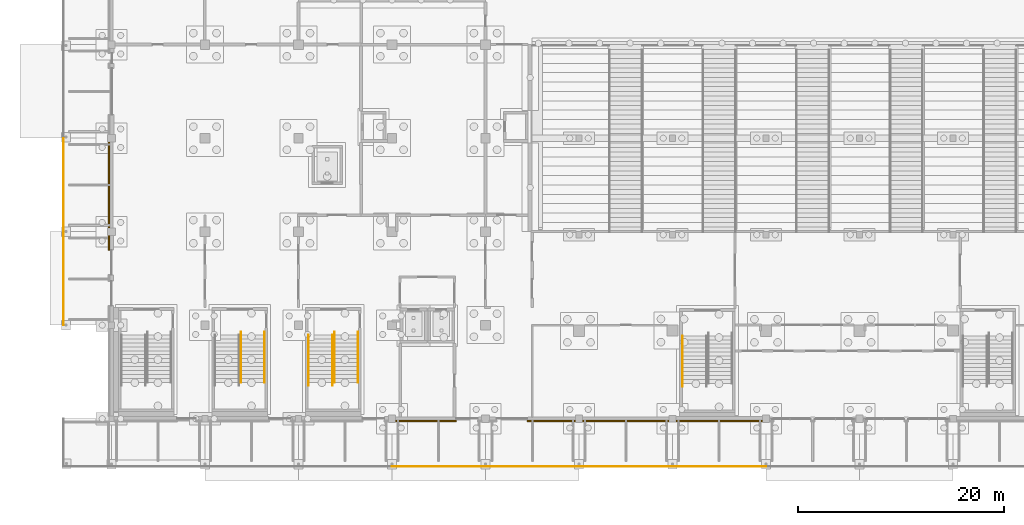
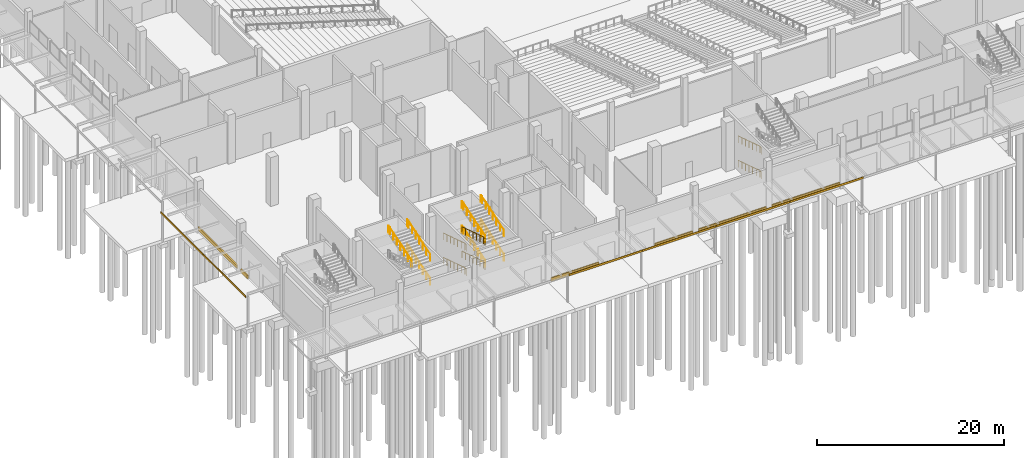
# One storey, part 102 of 129: 13 railings, 12 coverings.
"""IFC4 building model written with IfcOpenShell, lengths in metres."""

from ifc_helpers import new_model, si_unit, direction, frame, origin, origin_2d, place, context, subcontext, project, spatial, rectangle, circle, extrude, material, layer, layer_set, type_object, element, save


model = new_model("IFC4")

# Units and contexts
model_context = context("Model", 3, precision=1e-05, world=origin(), true_north=direction((0.0, 1.0)))
body_context = subcontext(model_context, "Body", "Model", "MODEL_VIEW")
ifc_project = project(units=[si_unit("LENGTHUNIT", "METRE"), si_unit("AREAUNIT", "SQUARE_METRE"), si_unit("VOLUMEUNIT", "CUBIC_METRE"), si_unit("PLANEANGLEUNIT", "RADIAN"), si_unit("MASSUNIT", "GRAM", prefix="KILO")], contexts=[model_context])

# Site, building, storey
site_placement = place(None, origin())
site = spatial("IfcSite", under=ifc_project, at=site_placement, CompositionType="ELEMENT")
building_placement = place(site_placement, origin())
building = spatial("IfcBuilding", under=site, at=building_placement, Name="Shirokan Park Arena", CompositionType="ELEMENT")
storey_placement = place(building_placement, origin())
storey = spatial("IfcBuildingStorey", under=building, at=storey_placement, Name="L00", CompositionType="ELEMENT", Elevation=0.0)

# Coverings
ifc_material_1 = material(Name="Timber fascia (cedar)", Category="wood")
ifc_layer_1 = layer(ifc_material_1, 0.050048828125)
ifc_layer_set_1 = layer_set([ifc_layer_1], Name="Timber fascia (cedar) 50 mm")
covering_type_1 = type_object("IfcCoveringType", Name="Canopy fascia 50x250", PredefinedType="CLADDING", material=ifc_layer_set_1)
for number, where, z_axis, x_axis, name in (
    (1, (31.85009765625, -4.675048828125, 3.5), (0.0, 0.0, 1.0), (1.0, 0.0, 0.0), "Canopy fascia south bay 4"),
    (2, (40.949951171875, -4.675048828125, 3.5), (0.0, 0.0, 1.0), (1.0, 0.0, 0.0), "Canopy fascia south bay 5"),
    (3, (50.050048828125, -4.675048828125, 3.5), (0.0, 0.0, 1.0), (1.0, 0.0, 0.0), "Canopy fascia south bay 6"),
    (4, (59.14990234375, -4.675048828125, 3.5), (0.0, 0.0, 1.0), (1.0, 0.0, 0.0), "Canopy fascia south bay 7"),
    (5, (-4.675048828125, 22.75, 3.5), (0.0, 0.0, 1.0), (0.0, -1.0, 0.0), "Canopy fascia west bay 10"),
    (6, (-4.675048828125, 13.64990234375, 3.5), (0.0, 0.0, 1.0), (0.0, -1.0, 0.0), "Canopy fascia west bay 11"),
):
    element("IfcCovering", number, at=place(storey_placement, frame(where, z_axis=z_axis, x_axis=x_axis)), inside=storey, type_object=covering_type_1, Name=name, PredefinedType="CLADDING", context=body_context, shape_type="SweptSolid", body=[
        extrude(rectangle(XDim=9.10009765625, YDim=0.050048828125, at=origin_2d()), origin(), (0.0, 0.0, 1.0), 0.25),
    ])

# Railings
ifc_material_2 = material(Name="Stainless steel", Category="steel")
railing_type = type_object("IfcRailingType", Name="Stair handrail 900", PredefinedType="HANDRAIL", material=ifc_material_2)
railing_1_placement = place(storey_placement, frame((14.909912109375, 3.530029296875, 1.715087890625)))
element("IfcRailing", 7, at=railing_1_placement, inside=storey, type_object=railing_type, Name="Handrail Exit Stair 1.B L00 to L01", PredefinedType="HANDRAIL", context=body_context, shape_type="SweptSolid", body=[
    extrude(circle(Radius=0.02392578125, at=origin_2d()), frame((0.0, 0.0, 0.8759765625), z_axis=(0.0, 0.952929747917, 0.303191186441), x_axis=(-1.0, 0.0, 0.0)), (0.0, 0.0, 1.0), 1.6162109375),
    extrude(circle(Radius=0.02392578125, at=origin_2d()), frame((0.0, 1.5400390625, 1.36572265625), z_axis=(0.0, 0.952929747917, 0.303191186441), x_axis=(-1.0, 0.0, 0.0)), (0.0, 0.0, 1.0), 1.6162109375),
    extrude(circle(Radius=0.02392578125, at=origin_2d()), frame((0.0, 3.080078125, 1.85595703125), z_axis=(0.0, 0.952915858112, 0.303234838629), x_axis=(-1.0, 0.0, 0.0)), (0.0, 0.0, 1.0), 1.615966796875),
    extrude(circle(Radius=0.02392578125, at=origin_2d()), frame((0.0, 4.619873046875, 2.345703125), z_axis=(0.0, 1.0, 0.0), x_axis=(-1.0, 0.0, 0.0)), (0.0, 0.0, 1.0), 0.300048828125),
    extrude(circle(Radius=0.02099609375, at=origin_2d()), origin(), (0.0, 0.0, 1.0), 0.851806640625),
    extrude(circle(Radius=0.02099609375, at=origin_2d()), frame((0.0, 0.77001953125, 0.2451171875)), (0.0, 0.0, 1.0), 0.851806640625),
    extrude(circle(Radius=0.02099609375, at=origin_2d()), frame((0.0, 1.5400390625, 0.489990234375)), (0.0, 0.0, 1.0), 0.851806640625),
    extrude(circle(Radius=0.02099609375, at=origin_2d()), frame((0.0, 2.31005859375, 0.73486328125)), (0.0, 0.0, 1.0), 0.851806640625),
    extrude(circle(Radius=0.02099609375, at=origin_2d()), frame((0.0, 3.080078125, 0.97998046875)), (0.0, 0.0, 1.0), 0.851806640625),
    extrude(circle(Radius=0.02099609375, at=origin_2d()), frame((0.0, 3.85009765625, 1.22509765625)), (0.0, 0.0, 1.0), 0.851806640625),
    extrude(circle(Radius=0.02099609375, at=origin_2d()), frame((0.0, 4.619873046875, 1.469970703125)), (0.0, 0.0, 1.0), 0.851806640625),
    extrude(circle(Radius=0.02099609375, at=origin_2d()), frame((0.0, 4.919921875, 1.469970703125)), (0.0, 0.0, 1.0), 0.851806640625),
])
railing_2_placement = place(storey_placement, frame((12.590087890625, 3.530029296875, 4.89990234375)))
element("IfcRailing", 8, at=railing_2_placement, inside=storey, type_object=railing_type, Name="Handrail Exit Stair 1.B L00 to L01", PredefinedType="HANDRAIL", context=body_context, shape_type="SweptSolid", body=[
    extrude(circle(Radius=0.02392578125, at=origin_2d()), frame((0.0, 0.0, 0.8759765625), z_axis=(0.0, 0.952929747917, 0.303191186441), x_axis=(-1.0, 0.0, 0.0)), (0.0, 0.0, 1.0), 1.6162109375),
    extrude(circle(Radius=0.02392578125, at=origin_2d()), frame((0.0, 1.5400390625, 1.36572265625), z_axis=(0.0, 0.952929747917, 0.303191186441), x_axis=(-1.0, 0.0, 0.0)), (0.0, 0.0, 1.0), 1.6162109375),
    extrude(circle(Radius=0.02392578125, at=origin_2d()), frame((0.0, 3.080078125, 1.85595703125), z_axis=(0.0, 0.952872192083, 0.303372025004), x_axis=(-1.0, 0.0, 0.0)), (0.0, 0.0, 1.0), 1.615966796875),
    extrude(circle(Radius=0.02392578125, at=origin_2d()), frame((0.0, 4.619873046875, 2.34619140625), z_axis=(0.0, 1.0, 0.0), x_axis=(-1.0, 0.0, 0.0)), (0.0, 0.0, 1.0), 0.300048828125),
    extrude(circle(Radius=0.02099609375, at=origin_2d()), origin(), (0.0, 0.0, 1.0), 0.851806640625),
    extrude(circle(Radius=0.02099609375, at=origin_2d()), frame((0.0, 0.77001953125, 0.2451171875)), (0.0, 0.0, 1.0), 0.851806640625),
    extrude(circle(Radius=0.02099609375, at=origin_2d()), frame((0.0, 1.5400390625, 0.489990234375)), (0.0, 0.0, 1.0), 0.851806640625),
    extrude(circle(Radius=0.02099609375, at=origin_2d()), frame((0.0, 2.31005859375, 0.73486328125)), (0.0, 0.0, 1.0), 0.851806640625),
    extrude(circle(Radius=0.02099609375, at=origin_2d()), frame((0.0, 3.080078125, 0.97998046875)), (0.0, 0.0, 1.0), 0.851806640625),
    extrude(circle(Radius=0.02099609375, at=origin_2d()), frame((0.0, 3.85009765625, 1.22509765625)), (0.0, 0.0, 1.0), 0.851806640625),
    extrude(circle(Radius=0.02099609375, at=origin_2d()), frame((0.0, 4.619873046875, 1.47021484375)), (0.0, 0.0, 1.0), 0.851806640625),
    extrude(circle(Radius=0.02099609375, at=origin_2d()), frame((0.0, 4.919921875, 1.47021484375)), (0.0, 0.0, 1.0), 0.851806640625),
])
railing_3_placement = place(storey_placement, frame((14.909912109375, 3.530029296875, 4.89990234375)))
element("IfcRailing", 9, at=railing_3_placement, inside=storey, type_object=railing_type, Name="Handrail Exit Stair 1.B L00 to L01", PredefinedType="HANDRAIL", context=body_context, shape_type="SweptSolid", body=[
    extrude(circle(Radius=0.02392578125, at=origin_2d()), frame((0.0, 0.0, 0.8759765625), z_axis=(0.0, 0.952929747917, 0.303191186441), x_axis=(-1.0, 0.0, 0.0)), (0.0, 0.0, 1.0), 1.6162109375),
    extrude(circle(Radius=0.02392578125, at=origin_2d()), frame((0.0, 1.5400390625, 1.36572265625), z_axis=(0.0, 0.952929747917, 0.303191186441), x_axis=(-1.0, 0.0, 0.0)), (0.0, 0.0, 1.0), 1.6162109375),
    extrude(circle(Radius=0.02392578125, at=origin_2d()), frame((0.0, 3.080078125, 1.85595703125), z_axis=(0.0, 0.952872192083, 0.303372025004), x_axis=(-1.0, 0.0, 0.0)), (0.0, 0.0, 1.0), 1.615966796875),
    extrude(circle(Radius=0.02392578125, at=origin_2d()), frame((0.0, 4.619873046875, 2.34619140625), z_axis=(0.0, 1.0, 0.0), x_axis=(-1.0, 0.0, 0.0)), (0.0, 0.0, 1.0), 0.300048828125),
    extrude(circle(Radius=0.02099609375, at=origin_2d()), origin(), (0.0, 0.0, 1.0), 0.851806640625),
    extrude(circle(Radius=0.02099609375, at=origin_2d()), frame((0.0, 0.77001953125, 0.2451171875)), (0.0, 0.0, 1.0), 0.851806640625),
    extrude(circle(Radius=0.02099609375, at=origin_2d()), frame((0.0, 1.5400390625, 0.489990234375)), (0.0, 0.0, 1.0), 0.851806640625),
    extrude(circle(Radius=0.02099609375, at=origin_2d()), frame((0.0, 2.31005859375, 0.73486328125)), (0.0, 0.0, 1.0), 0.851806640625),
    extrude(circle(Radius=0.02099609375, at=origin_2d()), frame((0.0, 3.080078125, 0.97998046875)), (0.0, 0.0, 1.0), 0.851806640625),
    extrude(circle(Radius=0.02099609375, at=origin_2d()), frame((0.0, 3.85009765625, 1.22509765625)), (0.0, 0.0, 1.0), 0.851806640625),
    extrude(circle(Radius=0.02099609375, at=origin_2d()), frame((0.0, 4.619873046875, 1.47021484375)), (0.0, 0.0, 1.0), 0.851806640625),
    extrude(circle(Radius=0.02099609375, at=origin_2d()), frame((0.0, 4.919921875, 1.47021484375)), (0.0, 0.0, 1.0), 0.851806640625),
])
railing_4_placement = place(storey_placement, frame((19.18994140625, 8.14990234375, 0.12255859375)))
element("IfcRailing", 10, at=railing_4_placement, inside=storey, type_object=railing_type, Name="Handrail Exit Stair 1.C L00 to L01", PredefinedType="HANDRAIL", context=body_context, shape_type="SweptSolid", body=[
    extrude(circle(Radius=0.02392578125, at=origin_2d()), frame((0.0, 0.0, 0.8759765625), z_axis=(0.0, -0.952915858112, 0.303234838629), x_axis=(1.0, 0.0, 0.0)), (0.0, 0.0, 1.0), 1.615966796875),
    extrude(circle(Radius=0.02392578125, at=origin_2d()), frame((0.0, -1.539794921875, 1.36572265625), z_axis=(0.0, -0.952929747917, 0.303191186441), x_axis=(1.0, 0.0, 0.0)), (0.0, 0.0, 1.0), 1.6162109375),
    extrude(circle(Radius=0.02392578125, at=origin_2d()), frame((0.0, -3.079833984375, 1.85595703125), z_axis=(0.0, -0.952929747917, 0.303191186441), x_axis=(1.0, 0.0, 0.0)), (0.0, 0.0, 1.0), 1.6162109375),
    extrude(circle(Radius=0.02392578125, at=origin_2d()), frame((0.0, -4.619873046875, 2.345703125), z_axis=(0.0, -1.0, 0.0), x_axis=(1.0, 0.0, 0.0)), (0.0, 0.0, 1.0), 0.300048828125),
    extrude(circle(Radius=0.02099609375, at=origin_2d()), origin(), (0.0, 0.0, 1.0), 0.851806640625),
    extrude(circle(Radius=0.02099609375, at=origin_2d()), frame((0.0, -0.77001953125, 0.2451171875)), (0.0, 0.0, 1.0), 0.851806640625),
    extrude(circle(Radius=0.02099609375, at=origin_2d()), frame((0.0, -1.539794921875, 0.489990234375)), (0.0, 0.0, 1.0), 0.851806640625),
    extrude(circle(Radius=0.02099609375, at=origin_2d()), frame((0.0, -2.309814453125, 0.73486328125)), (0.0, 0.0, 1.0), 0.851806640625),
    extrude(circle(Radius=0.02099609375, at=origin_2d()), frame((0.0, -3.079833984375, 0.97998046875)), (0.0, 0.0, 1.0), 0.851806640625),
    extrude(circle(Radius=0.02099609375, at=origin_2d()), frame((0.0, -3.849853515625, 1.22509765625)), (0.0, 0.0, 1.0), 0.851806640625),
    extrude(circle(Radius=0.02099609375, at=origin_2d()), frame((0.0, -4.619873046875, 1.469970703125)), (0.0, 0.0, 1.0), 0.851806640625),
    extrude(circle(Radius=0.02099609375, at=origin_2d()), frame((0.0, -4.919921875, 1.469970703125)), (0.0, 0.0, 1.0), 0.851806640625),
])
railing_5_placement = place(storey_placement, frame((21.510009765625, 8.14990234375, 0.12255859375)))
element("IfcRailing", 11, at=railing_5_placement, inside=storey, type_object=railing_type, Name="Handrail Exit Stair 1.C L00 to L01", PredefinedType="HANDRAIL", context=body_context, shape_type="SweptSolid", body=[
    extrude(circle(Radius=0.02392578125, at=origin_2d()), frame((0.0, 0.0, 0.8759765625), z_axis=(0.0, -0.952915858112, 0.303234838629), x_axis=(1.0, 0.0, 0.0)), (0.0, 0.0, 1.0), 1.615966796875),
    extrude(circle(Radius=0.02392578125, at=origin_2d()), frame((0.0, -1.539794921875, 1.36572265625), z_axis=(0.0, -0.952929747917, 0.303191186441), x_axis=(1.0, 0.0, 0.0)), (0.0, 0.0, 1.0), 1.6162109375),
    extrude(circle(Radius=0.02392578125, at=origin_2d()), frame((0.0, -3.079833984375, 1.85595703125), z_axis=(0.0, -0.952929747917, 0.303191186441), x_axis=(1.0, 0.0, 0.0)), (0.0, 0.0, 1.0), 1.6162109375),
    extrude(circle(Radius=0.02392578125, at=origin_2d()), frame((0.0, -4.619873046875, 2.345703125), z_axis=(0.0, -1.0, 0.0), x_axis=(1.0, 0.0, 0.0)), (0.0, 0.0, 1.0), 0.300048828125),
    extrude(circle(Radius=0.02099609375, at=origin_2d()), origin(), (0.0, 0.0, 1.0), 0.851806640625),
    extrude(circle(Radius=0.02099609375, at=origin_2d()), frame((0.0, -0.77001953125, 0.2451171875)), (0.0, 0.0, 1.0), 0.851806640625),
    extrude(circle(Radius=0.02099609375, at=origin_2d()), frame((0.0, -1.539794921875, 0.489990234375)), (0.0, 0.0, 1.0), 0.851806640625),
    extrude(circle(Radius=0.02099609375, at=origin_2d()), frame((0.0, -2.309814453125, 0.73486328125)), (0.0, 0.0, 1.0), 0.851806640625),
    extrude(circle(Radius=0.02099609375, at=origin_2d()), frame((0.0, -3.079833984375, 0.97998046875)), (0.0, 0.0, 1.0), 0.851806640625),
    extrude(circle(Radius=0.02099609375, at=origin_2d()), frame((0.0, -3.849853515625, 1.22509765625)), (0.0, 0.0, 1.0), 0.851806640625),
    extrude(circle(Radius=0.02099609375, at=origin_2d()), frame((0.0, -4.619873046875, 1.469970703125)), (0.0, 0.0, 1.0), 0.851806640625),
    extrude(circle(Radius=0.02099609375, at=origin_2d()), frame((0.0, -4.919921875, 1.469970703125)), (0.0, 0.0, 1.0), 0.851806640625),
])
railing_6_placement = place(storey_placement, frame((21.68994140625, 3.530029296875, 1.715087890625)))
element("IfcRailing", 12, at=railing_6_placement, inside=storey, type_object=railing_type, Name="Handrail Exit Stair 1.C L00 to L01", PredefinedType="HANDRAIL", context=body_context, shape_type="SweptSolid", body=[
    extrude(circle(Radius=0.02392578125, at=origin_2d()), frame((0.0, 0.0, 0.8759765625), z_axis=(0.0, 0.952929747917, 0.303191186441), x_axis=(-1.0, 0.0, 0.0)), (0.0, 0.0, 1.0), 1.6162109375),
    extrude(circle(Radius=0.02392578125, at=origin_2d()), frame((0.0, 1.5400390625, 1.36572265625), z_axis=(0.0, 0.952929747917, 0.303191186441), x_axis=(-1.0, 0.0, 0.0)), (0.0, 0.0, 1.0), 1.6162109375),
    extrude(circle(Radius=0.02392578125, at=origin_2d()), frame((0.0, 3.080078125, 1.85595703125), z_axis=(0.0, 0.952915858112, 0.303234838629), x_axis=(-1.0, 0.0, 0.0)), (0.0, 0.0, 1.0), 1.615966796875),
    extrude(circle(Radius=0.02392578125, at=origin_2d()), frame((0.0, 4.619873046875, 2.345703125), z_axis=(0.0, 1.0, 0.0), x_axis=(-1.0, 0.0, 0.0)), (0.0, 0.0, 1.0), 0.300048828125),
    extrude(circle(Radius=0.02099609375, at=origin_2d()), origin(), (0.0, 0.0, 1.0), 0.851806640625),
    extrude(circle(Radius=0.02099609375, at=origin_2d()), frame((0.0, 0.77001953125, 0.2451171875)), (0.0, 0.0, 1.0), 0.851806640625),
    extrude(circle(Radius=0.02099609375, at=origin_2d()), frame((0.0, 1.5400390625, 0.489990234375)), (0.0, 0.0, 1.0), 0.851806640625),
    extrude(circle(Radius=0.02099609375, at=origin_2d()), frame((0.0, 2.31005859375, 0.73486328125)), (0.0, 0.0, 1.0), 0.851806640625),
    extrude(circle(Radius=0.02099609375, at=origin_2d()), frame((0.0, 3.080078125, 0.97998046875)), (0.0, 0.0, 1.0), 0.851806640625),
    extrude(circle(Radius=0.02099609375, at=origin_2d()), frame((0.0, 3.85009765625, 1.22509765625)), (0.0, 0.0, 1.0), 0.851806640625),
    extrude(circle(Radius=0.02099609375, at=origin_2d()), frame((0.0, 4.619873046875, 1.469970703125)), (0.0, 0.0, 1.0), 0.851806640625),
    extrude(circle(Radius=0.02099609375, at=origin_2d()), frame((0.0, 4.919921875, 1.469970703125)), (0.0, 0.0, 1.0), 0.851806640625),
])
railing_7_placement = place(storey_placement, frame((24.010009765625, 3.530029296875, 1.715087890625)))
element("IfcRailing", 13, at=railing_7_placement, inside=storey, type_object=railing_type, Name="Handrail Exit Stair 1.C L00 to L01", PredefinedType="HANDRAIL", context=body_context, shape_type="SweptSolid", body=[
    extrude(circle(Radius=0.02392578125, at=origin_2d()), frame((0.0, 0.0, 0.8759765625), z_axis=(0.0, 0.952929747917, 0.303191186441), x_axis=(-1.0, 0.0, 0.0)), (0.0, 0.0, 1.0), 1.6162109375),
    extrude(circle(Radius=0.02392578125, at=origin_2d()), frame((0.0, 1.5400390625, 1.36572265625), z_axis=(0.0, 0.952929747917, 0.303191186441), x_axis=(-1.0, 0.0, 0.0)), (0.0, 0.0, 1.0), 1.6162109375),
    extrude(circle(Radius=0.02392578125, at=origin_2d()), frame((0.0, 3.080078125, 1.85595703125), z_axis=(0.0, 0.952915858112, 0.303234838629), x_axis=(-1.0, 0.0, 0.0)), (0.0, 0.0, 1.0), 1.615966796875),
    extrude(circle(Radius=0.02392578125, at=origin_2d()), frame((0.0, 4.619873046875, 2.345703125), z_axis=(0.0, 1.0, 0.0), x_axis=(-1.0, 0.0, 0.0)), (0.0, 0.0, 1.0), 0.300048828125),
    extrude(circle(Radius=0.02099609375, at=origin_2d()), origin(), (0.0, 0.0, 1.0), 0.851806640625),
    extrude(circle(Radius=0.02099609375, at=origin_2d()), frame((0.0, 0.77001953125, 0.2451171875)), (0.0, 0.0, 1.0), 0.851806640625),
    extrude(circle(Radius=0.02099609375, at=origin_2d()), frame((0.0, 1.5400390625, 0.489990234375)), (0.0, 0.0, 1.0), 0.851806640625),
    extrude(circle(Radius=0.02099609375, at=origin_2d()), frame((0.0, 2.31005859375, 0.73486328125)), (0.0, 0.0, 1.0), 0.851806640625),
    extrude(circle(Radius=0.02099609375, at=origin_2d()), frame((0.0, 3.080078125, 0.97998046875)), (0.0, 0.0, 1.0), 0.851806640625),
    extrude(circle(Radius=0.02099609375, at=origin_2d()), frame((0.0, 3.85009765625, 1.22509765625)), (0.0, 0.0, 1.0), 0.851806640625),
    extrude(circle(Radius=0.02099609375, at=origin_2d()), frame((0.0, 4.619873046875, 1.469970703125)), (0.0, 0.0, 1.0), 0.851806640625),
    extrude(circle(Radius=0.02099609375, at=origin_2d()), frame((0.0, 4.919921875, 1.469970703125)), (0.0, 0.0, 1.0), 0.851806640625),
])
railing_8_placement = place(storey_placement, frame((19.18994140625, 8.14990234375, 3.3076171875)))
element("IfcRailing", 14, at=railing_8_placement, inside=storey, type_object=railing_type, Name="Handrail Exit Stair 1.C L00 to L01", PredefinedType="HANDRAIL", context=body_context, shape_type="SweptSolid", body=[
    extrude(circle(Radius=0.02392578125, at=origin_2d()), frame((0.0, 0.0, 0.8759765625), z_axis=(0.0, -0.952915858112, 0.303234838629), x_axis=(1.0, 0.0, 0.0)), (0.0, 0.0, 1.0), 1.615966796875),
    extrude(circle(Radius=0.02392578125, at=origin_2d()), frame((0.0, -1.539794921875, 1.36572265625), z_axis=(0.0, -0.952929747917, 0.303191186441), x_axis=(1.0, 0.0, 0.0)), (0.0, 0.0, 1.0), 1.6162109375),
    extrude(circle(Radius=0.02392578125, at=origin_2d()), frame((0.0, -3.079833984375, 1.85595703125), z_axis=(0.0, -0.952929747917, 0.303191186441), x_axis=(1.0, 0.0, 0.0)), (0.0, 0.0, 1.0), 1.6162109375),
    extrude(circle(Radius=0.02392578125, at=origin_2d()), frame((0.0, -4.619873046875, 2.345703125), z_axis=(0.0, -1.0, 0.0), x_axis=(1.0, 0.0, 0.0)), (0.0, 0.0, 1.0), 0.300048828125),
    extrude(circle(Radius=0.02099609375, at=origin_2d()), origin(), (0.0, 0.0, 1.0), 0.851806640625),
    extrude(circle(Radius=0.02099609375, at=origin_2d()), frame((0.0, -0.77001953125, 0.2451171875)), (0.0, 0.0, 1.0), 0.851806640625),
    extrude(circle(Radius=0.02099609375, at=origin_2d()), frame((0.0, -1.539794921875, 0.489990234375)), (0.0, 0.0, 1.0), 0.851806640625),
    extrude(circle(Radius=0.02099609375, at=origin_2d()), frame((0.0, -2.309814453125, 0.73486328125)), (0.0, 0.0, 1.0), 0.851806640625),
    extrude(circle(Radius=0.02099609375, at=origin_2d()), frame((0.0, -3.079833984375, 0.97998046875)), (0.0, 0.0, 1.0), 0.851806640625),
    extrude(circle(Radius=0.02099609375, at=origin_2d()), frame((0.0, -3.849853515625, 1.22509765625)), (0.0, 0.0, 1.0), 0.851806640625),
    extrude(circle(Radius=0.02099609375, at=origin_2d()), frame((0.0, -4.619873046875, 1.469970703125)), (0.0, 0.0, 1.0), 0.851806640625),
    extrude(circle(Radius=0.02099609375, at=origin_2d()), frame((0.0, -4.919921875, 1.469970703125)), (0.0, 0.0, 1.0), 0.851806640625),
])
railing_9_placement = place(storey_placement, frame((21.510009765625, 8.14990234375, 3.3076171875)))
element("IfcRailing", 15, at=railing_9_placement, inside=storey, type_object=railing_type, Name="Handrail Exit Stair 1.C L00 to L01", PredefinedType="HANDRAIL", context=body_context, shape_type="SweptSolid", body=[
    extrude(circle(Radius=0.02392578125, at=origin_2d()), frame((0.0, 0.0, 0.8759765625), z_axis=(0.0, -0.952915858112, 0.303234838629), x_axis=(1.0, 0.0, 0.0)), (0.0, 0.0, 1.0), 1.615966796875),
    extrude(circle(Radius=0.02392578125, at=origin_2d()), frame((0.0, -1.539794921875, 1.36572265625), z_axis=(0.0, -0.952929747917, 0.303191186441), x_axis=(1.0, 0.0, 0.0)), (0.0, 0.0, 1.0), 1.6162109375),
    extrude(circle(Radius=0.02392578125, at=origin_2d()), frame((0.0, -3.079833984375, 1.85595703125), z_axis=(0.0, -0.952929747917, 0.303191186441), x_axis=(1.0, 0.0, 0.0)), (0.0, 0.0, 1.0), 1.6162109375),
    extrude(circle(Radius=0.02392578125, at=origin_2d()), frame((0.0, -4.619873046875, 2.345703125), z_axis=(0.0, -1.0, 0.0), x_axis=(1.0, 0.0, 0.0)), (0.0, 0.0, 1.0), 0.300048828125),
    extrude(circle(Radius=0.02099609375, at=origin_2d()), origin(), (0.0, 0.0, 1.0), 0.851806640625),
    extrude(circle(Radius=0.02099609375, at=origin_2d()), frame((0.0, -0.77001953125, 0.2451171875)), (0.0, 0.0, 1.0), 0.851806640625),
    extrude(circle(Radius=0.02099609375, at=origin_2d()), frame((0.0, -1.539794921875, 0.489990234375)), (0.0, 0.0, 1.0), 0.851806640625),
    extrude(circle(Radius=0.02099609375, at=origin_2d()), frame((0.0, -2.309814453125, 0.73486328125)), (0.0, 0.0, 1.0), 0.851806640625),
    extrude(circle(Radius=0.02099609375, at=origin_2d()), frame((0.0, -3.079833984375, 0.97998046875)), (0.0, 0.0, 1.0), 0.851806640625),
    extrude(circle(Radius=0.02099609375, at=origin_2d()), frame((0.0, -3.849853515625, 1.22509765625)), (0.0, 0.0, 1.0), 0.851806640625),
    extrude(circle(Radius=0.02099609375, at=origin_2d()), frame((0.0, -4.619873046875, 1.469970703125)), (0.0, 0.0, 1.0), 0.851806640625),
    extrude(circle(Radius=0.02099609375, at=origin_2d()), frame((0.0, -4.919921875, 1.469970703125)), (0.0, 0.0, 1.0), 0.851806640625),
])
railing_10_placement = place(storey_placement, frame((21.68994140625, 3.530029296875, 4.89990234375)))
element("IfcRailing", 16, at=railing_10_placement, inside=storey, type_object=railing_type, Name="Handrail Exit Stair 1.C L00 to L01", PredefinedType="HANDRAIL", context=body_context, shape_type="SweptSolid", body=[
    extrude(circle(Radius=0.02392578125, at=origin_2d()), frame((0.0, 0.0, 0.8759765625), z_axis=(0.0, 0.952929747917, 0.303191186441), x_axis=(-1.0, 0.0, 0.0)), (0.0, 0.0, 1.0), 1.6162109375),
    extrude(circle(Radius=0.02392578125, at=origin_2d()), frame((0.0, 1.5400390625, 1.36572265625), z_axis=(0.0, 0.952929747917, 0.303191186441), x_axis=(-1.0, 0.0, 0.0)), (0.0, 0.0, 1.0), 1.6162109375),
    extrude(circle(Radius=0.02392578125, at=origin_2d()), frame((0.0, 3.080078125, 1.85595703125), z_axis=(0.0, 0.952872192083, 0.303372025004), x_axis=(-1.0, 0.0, 0.0)), (0.0, 0.0, 1.0), 1.615966796875),
    extrude(circle(Radius=0.02392578125, at=origin_2d()), frame((0.0, 4.619873046875, 2.34619140625), z_axis=(0.0, 1.0, 0.0), x_axis=(-1.0, 0.0, 0.0)), (0.0, 0.0, 1.0), 0.300048828125),
    extrude(circle(Radius=0.02099609375, at=origin_2d()), origin(), (0.0, 0.0, 1.0), 0.851806640625),
    extrude(circle(Radius=0.02099609375, at=origin_2d()), frame((0.0, 0.77001953125, 0.2451171875)), (0.0, 0.0, 1.0), 0.851806640625),
    extrude(circle(Radius=0.02099609375, at=origin_2d()), frame((0.0, 1.5400390625, 0.489990234375)), (0.0, 0.0, 1.0), 0.851806640625),
    extrude(circle(Radius=0.02099609375, at=origin_2d()), frame((0.0, 2.31005859375, 0.73486328125)), (0.0, 0.0, 1.0), 0.851806640625),
    extrude(circle(Radius=0.02099609375, at=origin_2d()), frame((0.0, 3.080078125, 0.97998046875)), (0.0, 0.0, 1.0), 0.851806640625),
    extrude(circle(Radius=0.02099609375, at=origin_2d()), frame((0.0, 3.85009765625, 1.22509765625)), (0.0, 0.0, 1.0), 0.851806640625),
    extrude(circle(Radius=0.02099609375, at=origin_2d()), frame((0.0, 4.619873046875, 1.47021484375)), (0.0, 0.0, 1.0), 0.851806640625),
    extrude(circle(Radius=0.02099609375, at=origin_2d()), frame((0.0, 4.919921875, 1.47021484375)), (0.0, 0.0, 1.0), 0.851806640625),
])
railing_11_placement = place(storey_placement, frame((24.010009765625, 3.530029296875, 4.89990234375)))
element("IfcRailing", 17, at=railing_11_placement, inside=storey, type_object=railing_type, Name="Handrail Exit Stair 1.C L00 to L01", PredefinedType="HANDRAIL", context=body_context, shape_type="SweptSolid", body=[
    extrude(circle(Radius=0.02392578125, at=origin_2d()), frame((0.0, 0.0, 0.8759765625), z_axis=(0.0, 0.952929747917, 0.303191186441), x_axis=(-1.0, 0.0, 0.0)), (0.0, 0.0, 1.0), 1.6162109375),
    extrude(circle(Radius=0.02392578125, at=origin_2d()), frame((0.0, 1.5400390625, 1.36572265625), z_axis=(0.0, 0.952929747917, 0.303191186441), x_axis=(-1.0, 0.0, 0.0)), (0.0, 0.0, 1.0), 1.6162109375),
    extrude(circle(Radius=0.02392578125, at=origin_2d()), frame((0.0, 3.080078125, 1.85595703125), z_axis=(0.0, 0.952872192083, 0.303372025004), x_axis=(-1.0, 0.0, 0.0)), (0.0, 0.0, 1.0), 1.615966796875),
    extrude(circle(Radius=0.02392578125, at=origin_2d()), frame((0.0, 4.619873046875, 2.34619140625), z_axis=(0.0, 1.0, 0.0), x_axis=(-1.0, 0.0, 0.0)), (0.0, 0.0, 1.0), 0.300048828125),
    extrude(circle(Radius=0.02099609375, at=origin_2d()), origin(), (0.0, 0.0, 1.0), 0.851806640625),
    extrude(circle(Radius=0.02099609375, at=origin_2d()), frame((0.0, 0.77001953125, 0.2451171875)), (0.0, 0.0, 1.0), 0.851806640625),
    extrude(circle(Radius=0.02099609375, at=origin_2d()), frame((0.0, 1.5400390625, 0.489990234375)), (0.0, 0.0, 1.0), 0.851806640625),
    extrude(circle(Radius=0.02099609375, at=origin_2d()), frame((0.0, 2.31005859375, 0.73486328125)), (0.0, 0.0, 1.0), 0.851806640625),
    extrude(circle(Radius=0.02099609375, at=origin_2d()), frame((0.0, 3.080078125, 0.97998046875)), (0.0, 0.0, 1.0), 0.851806640625),
    extrude(circle(Radius=0.02099609375, at=origin_2d()), frame((0.0, 3.85009765625, 1.22509765625)), (0.0, 0.0, 1.0), 0.851806640625),
    extrude(circle(Radius=0.02099609375, at=origin_2d()), frame((0.0, 4.619873046875, 1.47021484375)), (0.0, 0.0, 1.0), 0.851806640625),
    extrude(circle(Radius=0.02099609375, at=origin_2d()), frame((0.0, 4.919921875, 1.47021484375)), (0.0, 0.0, 1.0), 0.851806640625),
])
railing_12_placement = place(storey_placement, frame((55.590087890625, 8.050048828125, 0.12255859375)))
element("IfcRailing", 18, at=railing_12_placement, inside=storey, type_object=railing_type, Name="Handrail Entrance Stair E1.1 L00 to L01", PredefinedType="HANDRAIL", context=body_context, shape_type="SweptSolid", body=[
    extrude(circle(Radius=0.02392578125, at=origin_2d()), frame((0.0, 0.0, 0.8759765625), z_axis=(0.0, -0.952929747917, 0.303191186441), x_axis=(1.0, 0.0, 0.0)), (0.0, 0.0, 1.0), 1.6162109375),
    extrude(circle(Radius=0.02392578125, at=origin_2d()), frame((0.0, -1.5400390625, 1.36572265625), z_axis=(0.0, -0.952929747917, 0.303191186441), x_axis=(1.0, 0.0, 0.0)), (0.0, 0.0, 1.0), 1.6162109375),
    extrude(circle(Radius=0.02392578125, at=origin_2d()), frame((0.0, -3.080078125, 1.85595703125), z_axis=(0.0, -0.952929747917, 0.303191186441), x_axis=(1.0, 0.0, 0.0)), (0.0, 0.0, 1.0), 1.6162109375),
    extrude(circle(Radius=0.02392578125, at=origin_2d()), frame((0.0, -4.6201171875, 2.345703125), z_axis=(0.0, -1.0, 0.0), x_axis=(1.0, 0.0, 0.0)), (0.0, 0.0, 1.0), 0.300048828125),
    extrude(circle(Radius=0.02099609375, at=origin_2d()), origin(), (0.0, 0.0, 1.0), 0.851806640625),
    extrude(circle(Radius=0.02099609375, at=origin_2d()), frame((0.0, -0.77001953125, 0.2451171875)), (0.0, 0.0, 1.0), 0.851806640625),
    extrude(circle(Radius=0.02099609375, at=origin_2d()), frame((0.0, -1.5400390625, 0.489990234375)), (0.0, 0.0, 1.0), 0.851806640625),
    extrude(circle(Radius=0.02099609375, at=origin_2d()), frame((0.0, -2.31005859375, 0.73486328125)), (0.0, 0.0, 1.0), 0.851806640625),
    extrude(circle(Radius=0.02099609375, at=origin_2d()), frame((0.0, -3.080078125, 0.97998046875)), (0.0, 0.0, 1.0), 0.851806640625),
    extrude(circle(Radius=0.02099609375, at=origin_2d()), frame((0.0, -3.85009765625, 1.22509765625)), (0.0, 0.0, 1.0), 0.851806640625),
    extrude(circle(Radius=0.02099609375, at=origin_2d()), frame((0.0, -4.6201171875, 1.469970703125)), (0.0, 0.0, 1.0), 0.851806640625),
    extrude(circle(Radius=0.02099609375, at=origin_2d()), frame((0.0, -4.920166015625, 1.469970703125)), (0.0, 0.0, 1.0), 0.851806640625),
])
railing_13_placement = place(storey_placement, frame((55.590087890625, 8.050048828125, 3.3076171875)))
element("IfcRailing", 19, at=railing_13_placement, inside=storey, type_object=railing_type, Name="Handrail Entrance Stair E1.1 L00 to L01", PredefinedType="HANDRAIL", context=body_context, shape_type="SweptSolid", body=[
    extrude(circle(Radius=0.02392578125, at=origin_2d()), frame((0.0, 0.0, 0.8759765625), z_axis=(0.0, -0.952929747917, 0.303191186441), x_axis=(1.0, 0.0, 0.0)), (0.0, 0.0, 1.0), 1.6162109375),
    extrude(circle(Radius=0.02392578125, at=origin_2d()), frame((0.0, -1.5400390625, 1.36572265625), z_axis=(0.0, -0.952929747917, 0.303191186441), x_axis=(1.0, 0.0, 0.0)), (0.0, 0.0, 1.0), 1.6162109375),
    extrude(circle(Radius=0.02392578125, at=origin_2d()), frame((0.0, -3.080078125, 1.85595703125), z_axis=(0.0, -0.952929747917, 0.303191186441), x_axis=(1.0, 0.0, 0.0)), (0.0, 0.0, 1.0), 1.6162109375),
    extrude(circle(Radius=0.02392578125, at=origin_2d()), frame((0.0, -4.6201171875, 2.345703125), z_axis=(0.0, -1.0, 0.0), x_axis=(1.0, 0.0, 0.0)), (0.0, 0.0, 1.0), 0.300048828125),
    extrude(circle(Radius=0.02099609375, at=origin_2d()), origin(), (0.0, 0.0, 1.0), 0.851806640625),
    extrude(circle(Radius=0.02099609375, at=origin_2d()), frame((0.0, -0.77001953125, 0.2451171875)), (0.0, 0.0, 1.0), 0.851806640625),
    extrude(circle(Radius=0.02099609375, at=origin_2d()), frame((0.0, -1.5400390625, 0.489990234375)), (0.0, 0.0, 1.0), 0.851806640625),
    extrude(circle(Radius=0.02099609375, at=origin_2d()), frame((0.0, -2.31005859375, 0.73486328125)), (0.0, 0.0, 1.0), 0.851806640625),
    extrude(circle(Radius=0.02099609375, at=origin_2d()), frame((0.0, -3.080078125, 0.97998046875)), (0.0, 0.0, 1.0), 0.851806640625),
    extrude(circle(Radius=0.02099609375, at=origin_2d()), frame((0.0, -3.85009765625, 1.22509765625)), (0.0, 0.0, 1.0), 0.851806640625),
    extrude(circle(Radius=0.02099609375, at=origin_2d()), frame((0.0, -4.6201171875, 1.469970703125)), (0.0, 0.0, 1.0), 0.851806640625),
    extrude(circle(Radius=0.02099609375, at=origin_2d()), frame((0.0, -4.920166015625, 1.469970703125)), (0.0, 0.0, 1.0), 0.851806640625),
])

# Coverings
ifc_material_3 = material(Name="Natural stone", Category="masonry")
ifc_layer_2 = layer(ifc_material_3, 0.14990234375)
ifc_layer_set_2 = layer_set([ifc_layer_2], Name="Natural stone 150 mm")
covering_type_2 = type_object("IfcCoveringType", Name="Stone plinth 150x450", PredefinedType="CLADDING", material=ifc_layer_set_2)
covering_1_placement = place(storey_placement, frame((30.60009765625, -0.22509765625, 0.0), z_axis=(0.0, 0.0, 1.0), x_axis=(1.0, 0.0, 0.0)))
element("IfcCovering", 20, at=covering_1_placement, inside=storey, type_object=covering_type_2, Name="Stone plinth south bay 4", PredefinedType="CLADDING", context=body_context, shape_type="SweptSolid", body=[
    extrude(rectangle(XDim=5.89990234375, YDim=0.14990234375, at=origin_2d()), origin(), (0.0, 0.0, 1.0), 0.449951171875),
])
covering_2_placement = place(storey_placement, frame((42.8125, -0.22509765625, 0.0), z_axis=(0.0, 0.0, 1.0), x_axis=(1.0, 0.0, 0.0)))
element("IfcCovering", 21, at=covering_2_placement, inside=storey, type_object=covering_type_2, Name="Stone plinth south bay 5", PredefinedType="CLADDING", context=body_context, shape_type="SweptSolid", body=[
    extrude(rectangle(XDim=4.675048828125, YDim=0.14990234375, at=origin_2d()), origin(), (0.0, 0.0, 1.0), 0.449951171875),
])
for number, where, z_axis, x_axis, name in (
    (22, (50.0625, -0.22509765625, 0.0), (0.0, 0.0, 1.0), (1.0, 0.0, 0.0), "Stone plinth south bay 6"),
    (23, (59.137451171875, -0.22509765625, 0.0), (0.0, 0.0, 1.0), (1.0, 0.0, 0.0), "Stone plinth south bay 7"),
):
    element("IfcCovering", number, at=place(storey_placement, frame(where, z_axis=z_axis, x_axis=x_axis)), inside=storey, type_object=covering_type_2, Name=name, PredefinedType="CLADDING", context=body_context, shape_type="SweptSolid", body=[
        extrude(rectangle(XDim=8.425048828125, YDim=0.14990234375, at=origin_2d()), origin(), (0.0, 0.0, 1.0), 0.449951171875),
    ])
covering_3_placement = place(storey_placement, frame((-0.22509765625, 22.75, 0.0), z_axis=(0.0, 0.0, 1.0), x_axis=(0.0, -1.0, 0.0)))
element("IfcCovering", 24, at=covering_3_placement, inside=storey, type_object=covering_type_2, Name="Stone plinth west bay 10", PredefinedType="CLADDING", context=body_context, shape_type="SweptSolid", body=[
    extrude(rectangle(XDim=8.35009765625, YDim=0.14990234375, at=origin_2d()), origin(), (0.0, 0.0, 1.0), 0.449951171875),
])
covering_4_placement = place(storey_placement, frame((-0.22509765625, 17.112548828125, 0.0), z_axis=(0.0, 0.0, 1.0), x_axis=(0.0, -1.0, 0.0)))
element("IfcCovering", 25, at=covering_4_placement, inside=storey, type_object=covering_type_2, Name="Stone plinth west bay 11", PredefinedType="CLADDING", context=body_context, shape_type="SweptSolid", body=[
    extrude(rectangle(XDim=1.425048828125, YDim=0.14990234375, at=origin_2d()), origin(), (0.0, 0.0, 1.0), 0.449951171875),
])

save(model, "model.ifc")
